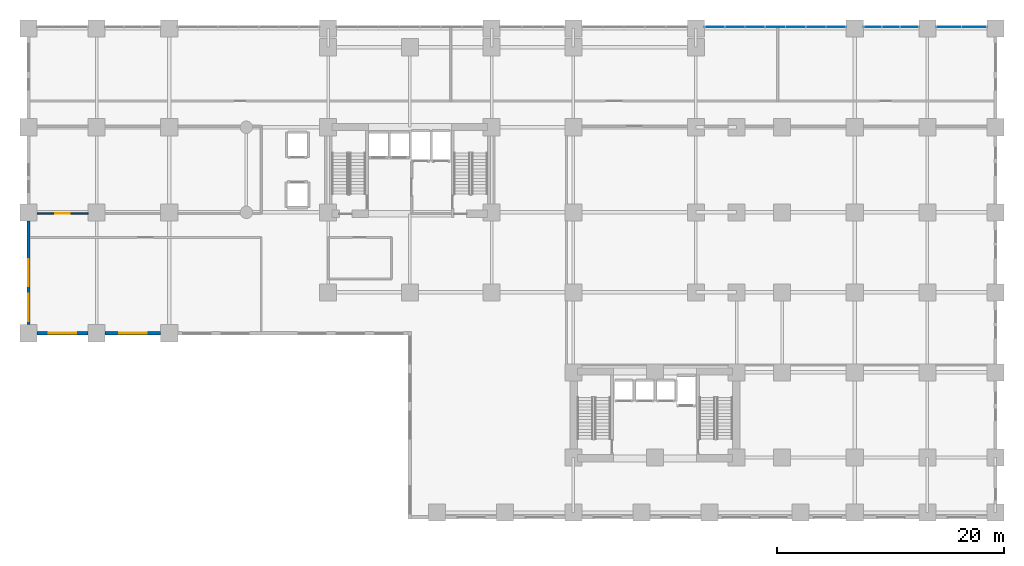
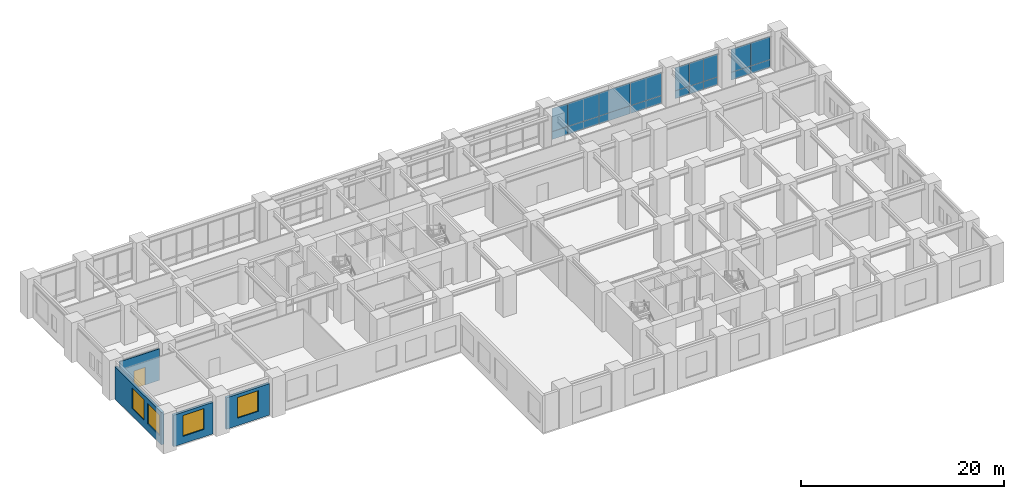
# One storey, part 14 of 22: 18 plates, 4 walls, 4 windows, 1 door, 5 openings, 3 elements without a shape of their own.
"""IFC4 building model written with IfcOpenShell, lengths in metres."""

import ifcopenshell
import ifcopenshell.guid

model = None  # the IFC model being written
_history = None  # IfcOwnerHistory: only IFC2X3 demands one
_inside = {}  # id of a spatial element -> (the spatial element, [elements in it])
_under = {}  # id of a project, library or spatial element -> (it, [spatial elements below it])
_declared = {}  # id of a project -> (the project, [libraries it declares])
_typed = {}  # id of a type object -> (the type object, [elements of that type])
_made_of = {}  # id of a material, layer set ... -> (it, [elements and type objects made of it])


def new_model(schema):
    """Start an empty IFC model of exactly this schema.

    Asked for "IFC4X3", IfcOpenShell would pick the latest addendum, in which some entities
    have other attributes; the version numbers below select the first issue.
    IFC2X3 requires an IfcOwnerHistory on every rooted entity: one is made here for all.
    """
    global model, _history
    if schema == "IFC4X3":
        model = ifcopenshell.file(schema_version=(4, 3, 0, 0))
    else:
        model = ifcopenshell.file(schema=schema)
    _inside.clear()
    _under.clear()
    _declared.clear()
    _typed.clear()
    _made_of.clear()
    _history = None
    if model.schema == "IFC2X3":
        org = make("IfcOrganization", Name="unknown")
        user = make(
            "IfcPersonAndOrganization",
            ThePerson=make("IfcPerson", FamilyName="unknown"),
            TheOrganization=org,
        )
        app = make(
            "IfcApplication",
            ApplicationDeveloper=org,
            Version="unknown",
            ApplicationFullName="unknown",
            ApplicationIdentifier="unknown",
        )
        _history = make(
            "IfcOwnerHistory",
            OwningUser=user,
            OwningApplication=app,
            ChangeAction="ADDED",
            CreationDate=0,
        )
    return model


def make(cls, **values):
    """One entity of the class cls with the attributes given. An attribute that is None is left unset."""
    return model.create_entity(
        cls, **{name: value for name, value in values.items() if value is not None}
    )


def rooted(cls, **values):
    """An entity with a GlobalId (a new one), such as an element, a storey or a relation."""
    return make(cls, GlobalId=ifcopenshell.guid.new(), OwnerHistory=_history, **values)


def si_unit(unit_type, name, prefix=None):
    """IfcSIUnit, for example si_unit("LENGTHUNIT", "METRE", prefix="MILLI")."""
    return make("IfcSIUnit", UnitType=unit_type, Prefix=prefix, Name=name)


def assignment(units):
    """IfcUnitAssignment: the units of a project."""
    return None if units is None else make("IfcUnitAssignment", Units=units)


def point(xyz):
    """IfcCartesianPoint."""
    return None if xyz is None else make("IfcCartesianPoint", Coordinates=xyz)


def direction(xyz):
    """IfcDirection."""
    return None if xyz is None else make("IfcDirection", DirectionRatios=xyz)


def frame(location, z_axis=None, x_axis=None):
    """IfcAxis2Placement3D, a coordinate frame: its origin and axes. An axis left out is left unset."""
    return make(
        "IfcAxis2Placement3D",
        Location=point(location),
        Axis=direction(z_axis),
        RefDirection=direction(x_axis),
    )


def frame_2d(location, x_axis=None):
    """IfcAxis2Placement2D, a coordinate frame in the plane: its origin and x axis."""
    return make(
        "IfcAxis2Placement2D", Location=point(location), RefDirection=direction(x_axis)
    )


def origin():
    """The frame at (0, 0, 0) with its axes left unset."""
    return frame((0.0, 0.0, 0.0))


def origin_2d():
    """The frame at (0, 0) in the plane with its x axis left unset."""
    return frame_2d((0.0, 0.0))


def place(relative_to, where):
    """IfcLocalPlacement: puts the frame where relative to a parent placement (None: the world)."""
    return make(
        "IfcLocalPlacement", PlacementRelTo=relative_to, RelativePlacement=where
    )


def context(
    kind, dimensions, precision=None, world=None, true_north=None, identifier=None
):
    """IfcGeometricRepresentationContext, for example the 3D "Model" context."""
    return make(
        "IfcGeometricRepresentationContext",
        ContextIdentifier=identifier,
        ContextType=kind,
        CoordinateSpaceDimension=dimensions,
        Precision=precision,
        WorldCoordinateSystem=world,
        TrueNorth=true_north,
    )


def subcontext(parent, identifier, kind, view, scale=None):
    """IfcGeometricRepresentationSubContext, for example "Body" below "Model"."""
    return make(
        "IfcGeometricRepresentationSubContext",
        ContextIdentifier=identifier,
        ContextType=kind,
        ParentContext=parent,
        TargetScale=scale,
        TargetView=view,
    )


def project(units=None, contexts=None):
    """IfcProject with its units and contexts."""
    return rooted(
        "IfcProject",
        Name="project",
        RepresentationContexts=contexts,
        UnitsInContext=assignment(units),
    )


def spatial(cls, under=None, at=None, **own):
    """A site, building, storey or space (cls), placed at a placement, below another one or the project."""
    s = rooted(cls, ObjectPlacement=at, **own)
    if under is not None:
        _under.setdefault(under.id(), (under, []))[1].append(s)
    return s


def profile(cls, at=None, kind="AREA", **sizes):
    """A parametric profile (cls). Its sizes go by their IFC names, for example OverallWidth=200.0."""
    return make(cls, ProfileType=kind, Position=at, **sizes)


def rectangle(**sizes):
    """IfcRectangleProfileDef."""
    return profile("IfcRectangleProfileDef", **sizes)


def extrude(swept, where, along, depth):
    """IfcExtrudedAreaSolid: the profile swept, set in the frame where, extruded along a direction by depth."""
    return make(
        "IfcExtrudedAreaSolid",
        SweptArea=swept,
        Position=where,
        ExtrudedDirection=direction(along),
        Depth=depth,
    )


def shape(context_of_items, identifier, shape_type, items):
    """IfcShapeRepresentation: the items that make up one representation, for example the "Body"."""
    return make(
        "IfcShapeRepresentation",
        ContextOfItems=context_of_items,
        RepresentationIdentifier=identifier,
        RepresentationType=shape_type,
        Items=items,
    )


def source(mapping_origin, context_of_items, identifier, shape_type, items):
    """IfcRepresentationMap: a shape defined once, which mapped items show again and again."""
    return make(
        "IfcRepresentationMap",
        MappingOrigin=mapping_origin,
        MappedRepresentation=shape(context_of_items, identifier, shape_type, items),
    )


def transform(
    local_origin,
    x_axis=None,
    y_axis=None,
    z_axis=None,
    scale=None,
    scale2=None,
    scale3=None,
    uniform=True,
):
    """IfcCartesianTransformationOperator3D, or its non-uniform kind. x_axis, y_axis, z_axis: its Axis1, 2, 3."""
    if uniform:
        return make(
            "IfcCartesianTransformationOperator3D",
            Axis1=direction(x_axis),
            Axis2=direction(y_axis),
            LocalOrigin=point(local_origin),
            Scale=scale,
            Axis3=direction(z_axis),
        )
    return make(
        "IfcCartesianTransformationOperator3DnonUniform",
        Axis1=direction(x_axis),
        Axis2=direction(y_axis),
        LocalOrigin=point(local_origin),
        Scale=scale,
        Axis3=direction(z_axis),
        Scale2=scale2,
        Scale3=scale3,
    )


def mapped(mapping_source, mapping_target):
    """IfcMappedItem: shows the shape of a source again, moved by a transform."""
    return make(
        "IfcMappedItem", MappingSource=mapping_source, MappingTarget=mapping_target
    )


def material(Name=None, Category=None):
    """IfcMaterial."""
    return make("IfcMaterial", Name=Name, Category=Category)


def layer(
    of_material, thickness, ventilated=None, Name=None, Category=None, Priority=None
):
    """IfcMaterialLayer: one layer of a wall or slab, of a material (None: an air gap)."""
    return make(
        "IfcMaterialLayer",
        Material=of_material,
        LayerThickness=thickness,
        IsVentilated=ventilated,
        Name=Name,
        Category=Category,
        Priority=Priority,
    )


def layer_set(layers, Name=None):
    """IfcMaterialLayerSet."""
    return make("IfcMaterialLayerSet", MaterialLayers=layers, LayerSetName=Name)


def made_of(thing, what):
    """Note that an element or type object is made of a material, layer set ...; save() writes the relation."""
    if what is not None:
        _made_of.setdefault(what.id(), (what, []))[1].append(thing)
    return thing


def type_object(cls, material=None, **own):
    """A type object (cls), such as IfcWallType, which elements share."""
    return made_of(rooted(cls, **own), material)


def element(
    cls,
    number,
    at=None,
    inside=None,
    cuts=None,
    type_object=None,
    material=None,
    context=None,
    identifier="Body",
    shape_type=None,
    held_by="IfcProductDefinitionShape",
    body=None,
    shapes=None,
    **own,
):
    """One element of the class cls, such as IfcWall. Its Tag is "e" and its number.

    at: its placement. inside: the storey or other place that contains it. cuts: it is an
    opening in that element (IfcRelVoidsElement). A single representation is given by context,
    identifier, shape_type and body (its items); several are given by shapes. held_by: the class
    of the entity that holds the representations. save() writes the other relations.
    """
    e = rooted(cls, Tag="e%d" % number, ObjectPlacement=at, **own)
    if body is not None:
        shapes = [shape(context, identifier, shape_type, body)]
    if shapes is not None:
        e.Representation = make(held_by, Representations=shapes)
    if inside is not None:
        _inside.setdefault(inside.id(), (inside, []))[1].append(e)
    if cuts is not None:
        rooted(
            "IfcRelVoidsElement", RelatingBuildingElement=cuts, RelatedOpeningElement=e
        )
    if type_object is not None:
        _typed.setdefault(type_object.id(), (type_object, []))[1].append(e)
    return made_of(e, material)


def fill(opening, filler):
    """IfcRelFillsElement: the door or window that sits in an opening."""
    return rooted(
        "IfcRelFillsElement",
        RelatingOpeningElement=opening,
        RelatedBuildingElement=filler,
    )


def aggregate(whole, parts):
    """IfcRelAggregates: a whole, such as a stair, and the parts it consists of."""
    return rooted("IfcRelAggregates", RelatingObject=whole, RelatedObjects=parts)


def save(model, path):
    """Write the relations noted so far, then the file.

    IfcRelAggregates (storeys below a building ...), IfcRelContainedInSpatialStructure (elements
    in a storey), IfcRelDefinesByType, IfcRelAssociatesMaterial and IfcRelDeclares: one each for
    every whole, place, type object, material and project.
    """
    for whole, parts in _under.values():
        aggregate(whole, parts)
    for where, things in _inside.values():
        rooted(
            "IfcRelContainedInSpatialStructure",
            RelatedElements=things,
            RelatingStructure=where,
        )
    for kind, things in _typed.values():
        rooted("IfcRelDefinesByType", RelatedObjects=things, RelatingType=kind)
    for what, things in _made_of.values():
        rooted("IfcRelAssociatesMaterial", RelatedObjects=things, RelatingMaterial=what)
    for by, libraries in _declared.values():
        rooted("IfcRelDeclares", RelatingContext=by, RelatedDefinitions=libraries)
    model.write(path)


model = new_model("IFC4")

# Units and contexts
model_context = context("Model", 3, precision=1e-05, world=origin(), true_north=direction((0.0, 1.0)))
body_context = subcontext(model_context, "Body", "Model", "MODEL_VIEW")
ifc_project = project(units=[si_unit("LENGTHUNIT", "METRE"), si_unit("AREAUNIT", "SQUARE_METRE"), si_unit("VOLUMEUNIT", "CUBIC_METRE"), si_unit("PLANEANGLEUNIT", "RADIAN"), si_unit("MASSUNIT", "GRAM", prefix="KILO")], contexts=[model_context])

# Site, building, storey
site_placement = place(None, origin())
site = spatial("IfcSite", under=ifc_project, at=site_placement, CompositionType="ELEMENT")
building_placement = place(site_placement, origin())
building = spatial("IfcBuilding", under=site, at=building_placement, Name="Kaliganga Portal Commons", CompositionType="ELEMENT")
storey_placement = place(building_placement, frame((0.0, 0.0, 5.39990234375)))
storey = spatial("IfcBuildingStorey", under=building, at=storey_placement, Name="L01", CompositionType="ELEMENT", Elevation=5.39990234375)

# Curtain wall, plates
ifc_material_1 = material(Name="Anodized Aluminium and Laminated Low-E Glass", Category="aluminium")
ifc_layer_1 = layer(ifc_material_1, 0.219970703125)
ifc_layer_set_1 = layer_set([ifc_layer_1], Name="Anodized Aluminium and Laminated Low-E Glass")
curtain_wall_type = type_object("IfcCurtainWallType", Name="CW-SYS-01", PredefinedType="NOTDEFINED", material=ifc_layer_set_1)
curtain_wall_1_placement = place(storey_placement, origin())
curtain_wall_1 = element("IfcCurtainWall", 1, at=curtain_wall_1_placement, inside=storey, type_object=curtain_wall_type, Name="CW 01 L01 P1E02S1", PredefinedType="NOTDEFINED")
ifc_material_2 = material(Name="Insulated Dark Spandrel Panel", Category="metal")
ifc_layer_2 = layer(ifc_material_2, 0.044921875)
ifc_layer_set_2 = layer_set([ifc_layer_2], Name="Insulated Dark Spandrel Panel")
plate_type_1 = type_object("IfcPlateType", Name="PLT-SPN-45", PredefinedType="SHEET", material=ifc_layer_set_2)
shared_shape_1 = source(origin(), body_context, "Body", "SweptSolid", [
    extrude(rectangle(XDim=2.208984375, YDim=0.044921875, at=origin_2d()), origin(), (0.0, 0.0, 1.0), 0.929931640625),
])
plate_1_placement = place(storey_placement, frame((71.324462890625, 45.0, 0.01025390625), z_axis=(0.0, 0.0, 1.0), x_axis=(-1.0, 0.0, 0.0)))
plate_1 = element("IfcPlate", 2, at=plate_1_placement, type_object=plate_type_1, Name="CW:01:L01:P1E02S1 Spandrel 00", PredefinedType="SHEET", context=body_context, shape_type="MappedRepresentation", body=[
    mapped(shared_shape_1, transform((0.0, 0.0, 0.0), x_axis=(1.0, 0.0, 0.0), y_axis=(0.0, 1.0, 0.0), z_axis=(0.0, 0.0, 1.0), scale=1.0)),
])
plate_2_placement = place(storey_placement, frame((69.075439453125, 45.0, 0.01025390625), z_axis=(0.0, 0.0, 1.0), x_axis=(-1.0, 0.0, 0.0)))
plate_2 = element("IfcPlate", 3, at=plate_2_placement, type_object=plate_type_1, Name="CW:01:L01:P1E02S1 Spandrel 01", PredefinedType="SHEET", context=body_context, shape_type="MappedRepresentation", body=[
    mapped(shared_shape_1, transform((0.0, 0.0, 0.0), x_axis=(1.0, 0.0, 0.0), y_axis=(0.0, 1.0, 0.0), z_axis=(0.0, 0.0, 1.0), scale=1.0)),
])

curtain_wall_2_placement = place(storey_placement, origin())
curtain_wall_2 = element("IfcCurtainWall", 4, at=curtain_wall_2_placement, inside=storey, type_object=curtain_wall_type, Name="CW 01 L01 P1E02S2", PredefinedType="NOTDEFINED")
shared_shape_2 = source(origin(), body_context, "Body", "SweptSolid", [
    extrude(rectangle(XDim=1.5927734375, YDim=0.044921875, at=origin_2d()), origin(), (0.0, 0.0, 1.0), 0.929931640625),
])
plate_3_placement = place(storey_placement, frame((65.6328125, 45.0, 0.01025390625), z_axis=(0.0, 0.0, 1.0), x_axis=(-1.0, 0.0, 0.0)))
plate_3 = element("IfcPlate", 5, at=plate_3_placement, type_object=plate_type_1, Name="CW:01:L01:P1E02S2 Spandrel 00", PredefinedType="SHEET", context=body_context, shape_type="MappedRepresentation", body=[
    mapped(shared_shape_2, transform((0.0, 0.0, 0.0), x_axis=(1.0, 0.0, 0.0), y_axis=(0.0, 1.0, 0.0), z_axis=(0.0, 0.0, 1.0), scale=1.0)),
])
plate_4_placement = place(storey_placement, frame((64.0, 45.0, 0.01025390625), z_axis=(0.0, 0.0, 1.0), x_axis=(-1.0, 0.0, 0.0)))
plate_4 = element("IfcPlate", 6, at=plate_4_placement, type_object=plate_type_1, Name="CW:01:L01:P1E02S2 Spandrel 01", PredefinedType="SHEET", context=body_context, shape_type="MappedRepresentation", body=[
    mapped(shared_shape_2, transform((0.0, 0.0, 0.0), x_axis=(1.0, 0.0, 0.0), y_axis=(0.0, 1.0, 0.0), z_axis=(0.0, 0.0, 1.0), scale=1.0)),
])
plate_5_placement = place(storey_placement, frame((62.3671875, 45.0, 0.01025390625), z_axis=(0.0, 0.0, 1.0), x_axis=(-1.0, 0.0, 0.0)))
plate_5 = element("IfcPlate", 7, at=plate_5_placement, type_object=plate_type_1, Name="CW:01:L01:P1E02S2 Spandrel 02", PredefinedType="SHEET", context=body_context, shape_type="MappedRepresentation", body=[
    mapped(shared_shape_2, transform((0.0, 0.0, 0.0), x_axis=(1.0, 0.0, 0.0), y_axis=(0.0, 1.0, 0.0), z_axis=(0.0, 0.0, 1.0), scale=1.0)),
])

curtain_wall_3_placement = place(storey_placement, origin())
curtain_wall_3 = element("IfcCurtainWall", 8, at=curtain_wall_3_placement, inside=storey, type_object=curtain_wall_type, Name="CW 01 L01 P1E02S3", PredefinedType="NOTDEFINED")
shared_shape_3 = source(origin(), body_context, "Body", "SweptSolid", [
    extrude(rectangle(XDim=3.531005859375, YDim=0.044921875, at=origin_2d()), origin(), (0.0, 0.0, 1.0), 0.929931640625),
])
plate_6_placement = place(storey_placement, frame((58.263671875, 45.0, 0.01025390625), z_axis=(0.0, 0.0, 1.0), x_axis=(-1.0, 0.0, 0.0)))
plate_6 = element("IfcPlate", 9, at=plate_6_placement, type_object=plate_type_1, Name="CW:01:L01:P1E02S3 Spandrel 00", PredefinedType="SHEET", context=body_context, shape_type="MappedRepresentation", body=[
    mapped(shared_shape_3, transform((0.0, 0.0, 0.0), x_axis=(1.0, 0.0, 0.0), y_axis=(0.0, 1.0, 0.0), z_axis=(0.0, 0.0, 1.0), scale=1.0)),
])
plate_7_placement = place(storey_placement, frame((54.692626953125, 45.0, 0.01025390625), z_axis=(0.0, 0.0, 1.0), x_axis=(-1.0, 0.0, 0.0)))
plate_7 = element("IfcPlate", 10, at=plate_7_placement, type_object=plate_type_1, Name="CW:01:L01:P1E02S3 Spandrel 02", PredefinedType="SHEET", context=body_context, shape_type="MappedRepresentation", body=[
    mapped(shared_shape_3, transform((0.0, 0.0, 0.0), x_axis=(1.0, 0.0, 0.0), y_axis=(0.0, 1.0, 0.0), z_axis=(0.0, 0.0, 1.0), scale=1.0)),
])
plate_8_placement = place(storey_placement, frame((51.121826171875, 45.0, 0.01025390625), z_axis=(0.0, 0.0, 1.0), x_axis=(-1.0, 0.0, 0.0)))
plate_8 = element("IfcPlate", 11, at=plate_8_placement, type_object=plate_type_1, Name="CW:01:L01:P1E02S3 Spandrel 04", PredefinedType="SHEET", context=body_context, shape_type="MappedRepresentation", body=[
    mapped(shared_shape_3, transform((0.0, 0.0, 0.0), x_axis=(1.0, 0.0, 0.0), y_axis=(0.0, 1.0, 0.0), z_axis=(0.0, 0.0, 1.0), scale=1.0)),
])
shared_shape_4 = source(origin(), body_context, "Body", "SweptSolid", [
    extrude(rectangle(XDim=1.745361328125, YDim=0.044921875, at=origin_2d()), origin(), (0.0, 0.0, 1.0), 0.929931640625),
])
plate_9_placement = place(storey_placement, frame((48.443603515625, 45.0, 0.01025390625), z_axis=(0.0, 0.0, 1.0), x_axis=(-1.0, 0.0, 0.0)))
plate_9 = element("IfcPlate", 12, at=plate_9_placement, type_object=plate_type_1, Name="CW:01:L01:P1E02S3 Spandrel 06", PredefinedType="SHEET", context=body_context, shape_type="MappedRepresentation", body=[
    mapped(shared_shape_4, transform((0.0, 0.0, 0.0), x_axis=(1.0, 0.0, 0.0), y_axis=(0.0, 1.0, 0.0), z_axis=(0.0, 0.0, 1.0), scale=1.0)),
])

# Plate
ifc_material_3 = material(Name="Dark Solar-Control Laminated Low-E IGU", Category="glass")
ifc_layer_3 = layer(ifc_material_3, 0.028076171875)
ifc_layer_set_3 = layer_set([ifc_layer_3], Name="Dark Solar-Control Laminated Low-E IGU")
plate_type_2 = type_object("IfcPlateType", Name="PLT-GLZ-28", PredefinedType="CURTAIN_PANEL", material=ifc_layer_set_3)
shared_shape_5 = source(origin(), body_context, "Body", "SweptSolid", [
    extrude(rectangle(XDim=2.208984375, YDim=0.028076171875, at=origin_2d()), origin(), (0.0, 0.0, 1.0), 2.77001953125),
])
plate_10_placement = place(storey_placement, frame((71.324462890625, 45.0, 0.960205078125), z_axis=(0.0, 0.0, 1.0), x_axis=(-1.0, 0.0, 0.0)))
plate_10 = element("IfcPlate", 13, at=plate_10_placement, type_object=plate_type_2, Name="CW:01:L01:P1E02S1 Vision IGU 00", PredefinedType="CURTAIN_PANEL", context=body_context, shape_type="MappedRepresentation", body=[
    mapped(shared_shape_5, transform((0.0, 0.0, 0.0), x_axis=(1.0, 0.0, 0.0), y_axis=(0.0, 1.0, 0.0), z_axis=(0.0, 0.0, 1.0), scale=1.0)),
])

plate_11_placement = place(storey_placement, frame((69.075439453125, 45.0, 0.960205078125), z_axis=(0.0, 0.0, 1.0), x_axis=(-1.0, 0.0, 0.0)))
plate_11 = element("IfcPlate", 14, at=plate_11_placement, type_object=plate_type_2, Name="CW:01:L01:P1E02S1 Vision IGU 01", PredefinedType="CURTAIN_PANEL", context=body_context, shape_type="MappedRepresentation", body=[
    mapped(shared_shape_5, transform((0.0, 0.0, 0.0), x_axis=(1.0, 0.0, 0.0), y_axis=(0.0, 1.0, 0.0), z_axis=(0.0, 0.0, 1.0), scale=1.0)),
])

aggregate(curtain_wall_1, [plate_1, plate_10, plate_2, plate_11])

shared_shape_6 = source(origin(), body_context, "Body", "SweptSolid", [
    extrude(rectangle(XDim=1.5927734375, YDim=0.028076171875, at=origin_2d()), origin(), (0.0, 0.0, 1.0), 2.77001953125),
])
plate_12_placement = place(storey_placement, frame((65.6328125, 45.0, 0.960205078125), z_axis=(0.0, 0.0, 1.0), x_axis=(-1.0, 0.0, 0.0)))
plate_12 = element("IfcPlate", 15, at=plate_12_placement, type_object=plate_type_2, Name="CW:01:L01:P1E02S2 Vision IGU 00", PredefinedType="CURTAIN_PANEL", context=body_context, shape_type="MappedRepresentation", body=[
    mapped(shared_shape_6, transform((0.0, 0.0, 0.0), x_axis=(1.0, 0.0, 0.0), y_axis=(0.0, 1.0, 0.0), z_axis=(0.0, 0.0, 1.0), scale=1.0)),
])

plate_13_placement = place(storey_placement, frame((64.0, 45.0, 0.960205078125), z_axis=(0.0, 0.0, 1.0), x_axis=(-1.0, 0.0, 0.0)))
plate_13 = element("IfcPlate", 16, at=plate_13_placement, type_object=plate_type_2, Name="CW:01:L01:P1E02S2 Vision IGU 01", PredefinedType="CURTAIN_PANEL", context=body_context, shape_type="MappedRepresentation", body=[
    mapped(shared_shape_6, transform((0.0, 0.0, 0.0), x_axis=(1.0, 0.0, 0.0), y_axis=(0.0, 1.0, 0.0), z_axis=(0.0, 0.0, 1.0), scale=1.0)),
])

plate_14_placement = place(storey_placement, frame((62.3671875, 45.0, 0.960205078125), z_axis=(0.0, 0.0, 1.0), x_axis=(-1.0, 0.0, 0.0)))
plate_14 = element("IfcPlate", 17, at=plate_14_placement, type_object=plate_type_2, Name="CW:01:L01:P1E02S2 Vision IGU 02", PredefinedType="CURTAIN_PANEL", context=body_context, shape_type="MappedRepresentation", body=[
    mapped(shared_shape_6, transform((0.0, 0.0, 0.0), x_axis=(1.0, 0.0, 0.0), y_axis=(0.0, 1.0, 0.0), z_axis=(0.0, 0.0, 1.0), scale=1.0)),
])

aggregate(curtain_wall_2, [plate_3, plate_12, plate_4, plate_13, plate_5, plate_14])

shared_shape_7 = source(origin(), body_context, "Body", "SweptSolid", [
    extrude(rectangle(XDim=3.531005859375, YDim=0.028076171875, at=origin_2d()), origin(), (0.0, 0.0, 1.0), 2.77001953125),
])
plate_15_placement = place(storey_placement, frame((58.263671875, 45.0, 0.960205078125), z_axis=(0.0, 0.0, 1.0), x_axis=(-1.0, 0.0, 0.0)))
plate_15 = element("IfcPlate", 18, at=plate_15_placement, type_object=plate_type_2, Name="CW:01:L01:P1E02S3 Vision IGU 00", PredefinedType="CURTAIN_PANEL", context=body_context, shape_type="MappedRepresentation", body=[
    mapped(shared_shape_7, transform((0.0, 0.0, 0.0), x_axis=(1.0, 0.0, 0.0), y_axis=(0.0, 1.0, 0.0), z_axis=(0.0, 0.0, 1.0), scale=1.0)),
])

plate_16_placement = place(storey_placement, frame((54.692626953125, 45.0, 0.960205078125), z_axis=(0.0, 0.0, 1.0), x_axis=(-1.0, 0.0, 0.0)))
plate_16 = element("IfcPlate", 19, at=plate_16_placement, type_object=plate_type_2, Name="CW:01:L01:P1E02S3 Vision IGU 02", PredefinedType="CURTAIN_PANEL", context=body_context, shape_type="MappedRepresentation", body=[
    mapped(shared_shape_7, transform((0.0, 0.0, 0.0), x_axis=(1.0, 0.0, 0.0), y_axis=(0.0, 1.0, 0.0), z_axis=(0.0, 0.0, 1.0), scale=1.0)),
])

plate_17_placement = place(storey_placement, frame((51.121826171875, 45.0, 0.960205078125), z_axis=(0.0, 0.0, 1.0), x_axis=(-1.0, 0.0, 0.0)))
plate_17 = element("IfcPlate", 20, at=plate_17_placement, type_object=plate_type_2, Name="CW:01:L01:P1E02S3 Vision IGU 04", PredefinedType="CURTAIN_PANEL", context=body_context, shape_type="MappedRepresentation", body=[
    mapped(shared_shape_7, transform((0.0, 0.0, 0.0), x_axis=(1.0, 0.0, 0.0), y_axis=(0.0, 1.0, 0.0), z_axis=(0.0, 0.0, 1.0), scale=1.0)),
])

shared_shape_8 = source(origin(), body_context, "Body", "SweptSolid", [
    extrude(rectangle(XDim=1.745361328125, YDim=0.028076171875, at=origin_2d()), origin(), (0.0, 0.0, 1.0), 2.77001953125),
])
plate_18_placement = place(storey_placement, frame((48.443603515625, 45.0, 0.960205078125), z_axis=(0.0, 0.0, 1.0), x_axis=(-1.0, 0.0, 0.0)))
plate_18 = element("IfcPlate", 21, at=plate_18_placement, type_object=plate_type_2, Name="CW:01:L01:P1E02S3 Vision IGU 06", PredefinedType="CURTAIN_PANEL", context=body_context, shape_type="MappedRepresentation", body=[
    mapped(shared_shape_8, transform((0.0, 0.0, 0.0), x_axis=(1.0, 0.0, 0.0), y_axis=(0.0, 1.0, 0.0), z_axis=(0.0, 0.0, 1.0), scale=1.0)),
])

aggregate(curtain_wall_3, [plate_6, plate_15, plate_7, plate_16, plate_8, plate_17, plate_9, plate_18])

# Wall, openings, windows
ifc_material_4 = material(Name="Precast concrete C40/50", Category="concrete")
ifc_layer_4 = layer(ifc_material_4, 0.300048828125)
ifc_layer_set_4 = layer_set([ifc_layer_4], Name="Precast concrete C40/50")
wall_type_1 = type_object("IfcWallType", Name="WL-EXT-POD-300", PredefinedType="STANDARD", material=ifc_layer_set_4)
wall_1_placement = place(storey_placement, frame((-12.0, 18.7509765625, 0.0), z_axis=(0.0, 0.0, 1.0), x_axis=(0.0, 1.0, 0.0)))
wall_1 = element("IfcWall", 22, at=wall_1_placement, inside=storey, type_object=wall_type_1, Name="Exterior Envelope Wall L01 P1-E03-S3", PredefinedType="STANDARD", context=body_context, shape_type="SweptSolid", body=[
    extrude(rectangle(XDim=9.14794921875, YDim=0.300048828125, at=frame_2d((4.573974609375, 0.0))), origin(), (0.0, 0.0, 1.0), 3.900146484375),
])
opening_1_placement = place(wall_1_placement, frame((0.32470703125, 0.0, 0.89990234375)))
opening_1 = element("IfcOpeningElement", 23, at=opening_1_placement, cuts=wall_1, Name="Opening W-05", PredefinedType="OPENING", context=body_context, shape_type="SweptSolid", body=[
    extrude(rectangle(XDim=2.39990234375, YDim=2.5, at=frame_2d((1.199951171875, 1.25))), frame((0.0, 0.16015625, 0.0), z_axis=(0.0, -1.0, 0.0), x_axis=(1.0, 0.0, 0.0)), (0.0, 0.0, 1.0), 0.320068359375),
])
opening_2_placement = place(wall_1_placement, frame((3.3740234375, 0.0, 0.89990234375)))
opening_2 = element("IfcOpeningElement", 24, at=opening_2_placement, cuts=wall_1, Name="Opening W-05", PredefinedType="OPENING", context=body_context, shape_type="SweptSolid", body=[
    extrude(rectangle(XDim=2.39990234375, YDim=2.5, at=frame_2d((1.199951171875, 1.25))), frame((0.0, 0.16015625, 0.0), z_axis=(0.0, -1.0, 0.0), x_axis=(1.0, 0.0, 0.0)), (0.0, 0.0, 1.0), 0.320068359375),
])
ifc_material_5 = material(Name="Thermally Broken Aluminium and Low-E Double Glazing", Category="aluminium")
window_type = type_object("IfcWindowType", Name="WIN-POD-2400", PartitioningType="TRIPLE_PANEL_VERTICAL", PredefinedType="WINDOW", material=ifc_material_5)
window_1_placement = place(opening_1_placement, origin())
window_1 = element("IfcWindow", 25, at=window_1_placement, inside=storey, type_object=window_type, Name="Facade Window L01-P1E03S3-00", OverallHeight=2.5, OverallWidth=2.39990234375, PartitioningType="SINGLE_PANEL", PredefinedType="WINDOW", context=body_context, shape_type="SweptSolid", body=[
    extrude(rectangle(XDim=2.39990234375, YDim=2.5, at=frame_2d((1.199951171875, 1.25))), frame((0.0, 0.030029296875, 0.0), z_axis=(0.0, -1.0, 0.0), x_axis=(1.0, 0.0, 0.0)), (0.0, 0.0, 1.0), 0.06005859375),
])
fill(opening_1, window_1)
window_2_placement = place(opening_2_placement, origin())
window_2 = element("IfcWindow", 26, at=window_2_placement, inside=storey, type_object=window_type, Name="Facade Window L01-P1E03S3-01", OverallHeight=2.5, OverallWidth=2.39990234375, PartitioningType="SINGLE_PANEL", PredefinedType="WINDOW", context=body_context, shape_type="SweptSolid", body=[
    extrude(rectangle(XDim=2.39990234375, YDim=2.5, at=frame_2d((1.199951171875, 1.25))), frame((0.0, 0.030029296875, 0.0), z_axis=(0.0, -1.0, 0.0), x_axis=(1.0, 0.0, 0.0)), (0.0, 0.0, 1.0), 0.06005859375),
])
fill(opening_2, window_2)

# Wall, opening, window
wall_2_placement = place(storey_placement, frame((-6.7509765625, 18.0, 0.0), z_axis=(0.0, 0.0, 1.0), x_axis=(-1.0, 0.0, 0.0)))
wall_2 = element("IfcWall", 27, at=wall_2_placement, inside=storey, type_object=wall_type_1, Name="Exterior Envelope Wall L01 P1-E04-S1", PredefinedType="STANDARD", context=body_context, shape_type="SweptSolid", body=[
    extrude(rectangle(XDim=4.498046875, YDim=0.300048828125, at=frame_2d((2.2490234375, 0.0))), origin(), (0.0, 0.0, 1.0), 3.800048828125),
])
opening_3_placement = place(wall_2_placement, frame((1.049072265625, 0.0, 0.89990234375)))
opening_3 = element("IfcOpeningElement", 28, at=opening_3_placement, cuts=wall_2, Name="Opening W-05", PredefinedType="OPENING", context=body_context, shape_type="SweptSolid", body=[
    extrude(rectangle(XDim=2.39990234375, YDim=2.5, at=frame_2d((1.199951171875, 1.25))), frame((0.0, 0.16015625, 0.0), z_axis=(0.0, -1.0, 0.0), x_axis=(1.0, 0.0, 0.0)), (0.0, 0.0, 1.0), 0.320068359375),
])
window_3_placement = place(opening_3_placement, origin())
window_3 = element("IfcWindow", 29, at=window_3_placement, inside=storey, type_object=window_type, Name="Facade Window L01-P1E04S1-00", OverallHeight=2.5, OverallWidth=2.39990234375, PartitioningType="SINGLE_PANEL", PredefinedType="WINDOW", context=body_context, shape_type="SweptSolid", body=[
    extrude(rectangle(XDim=2.39990234375, YDim=2.5, at=frame_2d((1.199951171875, 1.25))), frame((0.0, 0.030029296875, 0.0), z_axis=(0.0, -1.0, 0.0), x_axis=(1.0, 0.0, 0.0)), (0.0, 0.0, 1.0), 0.06005859375),
])
fill(opening_3, window_3)

wall_3_placement = place(storey_placement, frame((-0.35107421875, 18.0, 0.0), z_axis=(0.0, 0.0, 1.0), x_axis=(-1.0, 0.0, 0.0)))
wall_3 = element("IfcWall", 30, at=wall_3_placement, inside=storey, type_object=wall_type_1, Name="Exterior Envelope Wall L01 P1-E04-S2", PredefinedType="STANDARD", context=body_context, shape_type="SweptSolid", body=[
    extrude(rectangle(XDim=4.89794921875, YDim=0.300048828125, at=frame_2d((2.448974609375, 0.0))), origin(), (0.0, 0.0, 1.0), 3.800048828125),
])
opening_4_placement = place(wall_3_placement, frame((1.2490234375, 0.0, 0.89990234375)))
opening_4 = element("IfcOpeningElement", 31, at=opening_4_placement, cuts=wall_3, Name="Opening W-05", PredefinedType="OPENING", context=body_context, shape_type="SweptSolid", body=[
    extrude(rectangle(XDim=2.39990234375, YDim=2.5, at=frame_2d((1.199951171875, 1.25))), frame((0.0, 0.16015625, 0.0), z_axis=(0.0, -1.0, 0.0), x_axis=(1.0, 0.0, 0.0)), (0.0, 0.0, 1.0), 0.320068359375),
])
window_4_placement = place(opening_4_placement, origin())
window_4 = element("IfcWindow", 32, at=window_4_placement, inside=storey, type_object=window_type, Name="Facade Window L01-P1E04S2-00", OverallHeight=2.5, OverallWidth=2.39990234375, PartitioningType="SINGLE_PANEL", PredefinedType="WINDOW", context=body_context, shape_type="SweptSolid", body=[
    extrude(rectangle(XDim=2.39990234375, YDim=2.5, at=frame_2d((1.199951171875, 1.25))), frame((0.0, 0.030029296875, 0.0), z_axis=(0.0, -1.0, 0.0), x_axis=(1.0, 0.0, 0.0)), (0.0, 0.0, 1.0), 0.06005859375),
])
fill(opening_4, window_4)

# Wall, opening, door
ifc_material_6 = material(Name="Fire-Rated Gypsum Board on Steel Stud", Category="steel")
ifc_layer_5 = layer(ifc_material_6, 0.14990234375)
ifc_layer_set_5 = layer_set([ifc_layer_5], Name="Fire-Rated Gypsum Board on Steel Stud")
wall_type_2 = type_object("IfcWallType", Name="WL-PART-CORR-150", PredefinedType="PARTITIONING", material=ifc_layer_set_5)
wall_4_placement = place(storey_placement, frame((-11.25, 28.56005859375, 0.0), z_axis=(0.0, 0.0, 1.0), x_axis=(1.0, 0.0, 0.0)))
wall_4 = element("IfcWall", 33, at=wall_4_placement, inside=storey, type_object=wall_type_2, Name="Interior Partition L01-013", PredefinedType="PARTITIONING", context=body_context, shape_type="SweptSolid", body=[
    extrude(rectangle(XDim=4.5, YDim=0.14990234375, at=frame_2d((2.25, 0.0))), origin(), (0.0, 0.0, 1.0), 3.800048828125),
])
opening_5_placement = place(wall_4_placement, frame((1.60009765625, 0.0, 0.0)))
opening_5 = element("IfcOpeningElement", 34, at=opening_5_placement, cuts=wall_4, Name="Opening RD-03", PredefinedType="OPENING", context=body_context, shape_type="SweptSolid", body=[
    extrude(rectangle(XDim=1.300048828125, YDim=2.1201171875, at=frame_2d((0.64990234375, 1.06005859375))), frame((0.0, 0.0849609375, 0.0), z_axis=(0.0, -1.0, 0.0), x_axis=(1.0, 0.0, 0.0)), (0.0, 0.0, 1.0), 0.169921875),
])
ifc_material_7 = material(Name="Glazed Timber Seminar Vision Door", Category="wood")
door_type = type_object("IfcDoorType", Name="DR-STUDY-1300", OperationType="DOUBLE_DOOR_SINGLE_SWING", PredefinedType="DOOR", material=ifc_material_7)
door_placement = place(opening_5_placement, origin())
door = element("IfcDoor", 35, at=door_placement, inside=storey, type_object=door_type, Name="Interior Door L01-SEMINAR_N", OperationType="DOUBLE_DOOR_SINGLE_SWING", OverallHeight=2.1201171875, OverallWidth=1.300048828125, PredefinedType="DOOR", context=body_context, shape_type="SweptSolid", body=[
    extrude(rectangle(XDim=1.300048828125, YDim=2.1201171875, at=frame_2d((0.64990234375, 1.06005859375))), frame((0.0, 0.02490234375, 0.0), z_axis=(0.0, -1.0, 0.0), x_axis=(1.0, 0.0, 0.0)), (0.0, 0.0, 1.0), 0.050048828125),
])
fill(opening_5, door)

save(model, "model.ifc")
